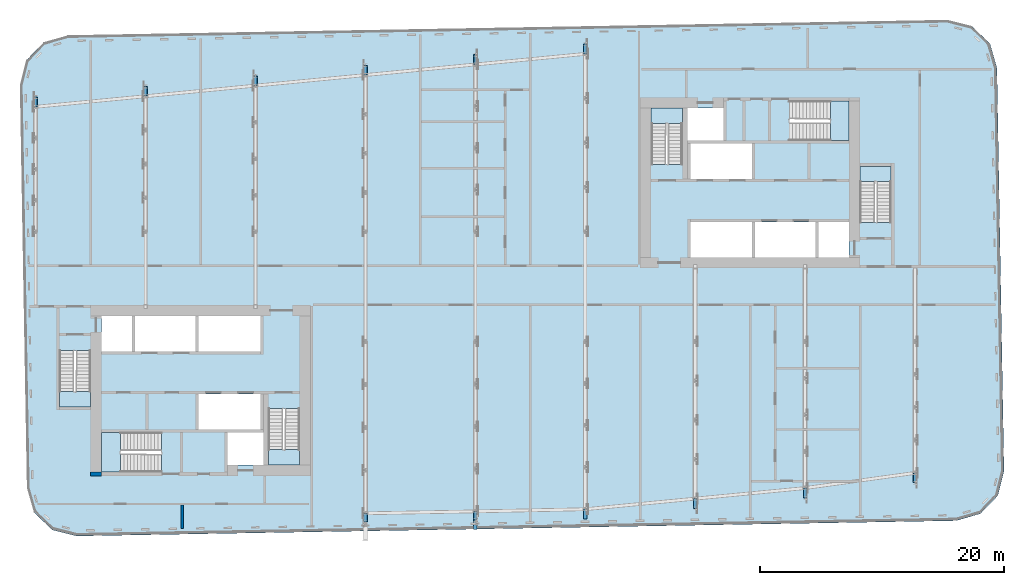
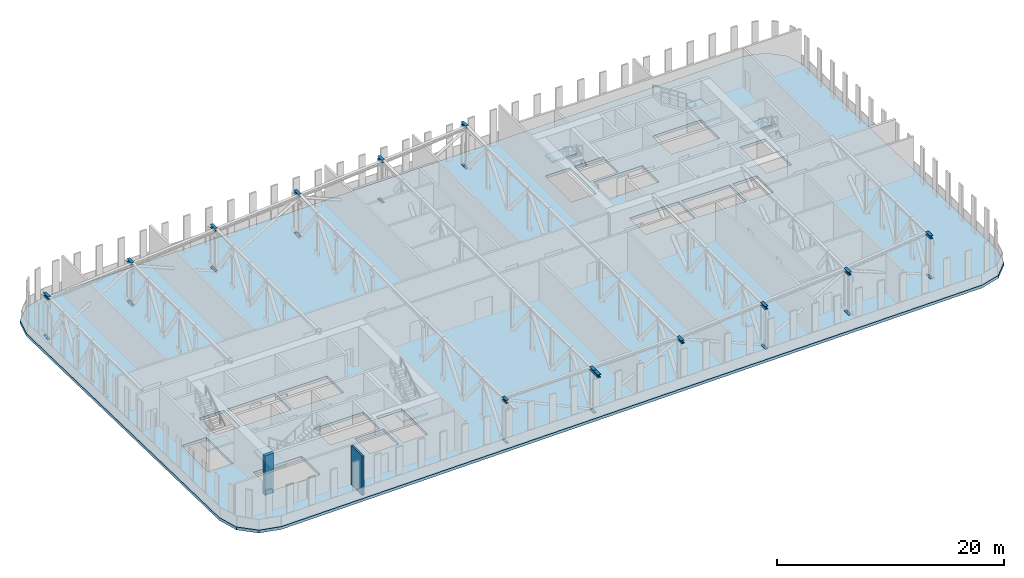
# One storey, part 9 of 26: 24 members, 7 slabs, 2 walls, 6 elements without a shape of their own.
"""IFC4 building model written with IfcOpenShell, lengths in metres."""

from ifc_helpers import new_model, si_unit, direction, frame, frame_2d, origin, origin_2d, place, context, subcontext, project, spatial, polyline, rectangle, i_section, outline, extrude, material, layer, layer_set, material_profile, profile_set, type_object, element, aggregate, save


model = new_model("IFC4")

# Units and contexts
model_context = context("Model", 3, precision=1e-05, world=origin(), true_north=direction((0.0, 1.0)))
body_context = subcontext(model_context, "Body", "Model", "MODEL_VIEW")
ifc_project = project(units=[si_unit("LENGTHUNIT", "METRE"), si_unit("AREAUNIT", "SQUARE_METRE"), si_unit("VOLUMEUNIT", "CUBIC_METRE"), si_unit("PLANEANGLEUNIT", "RADIAN"), si_unit("MASSUNIT", "GRAM", prefix="KILO")], contexts=[model_context])

# Site, building, storey
site_placement = place(None, origin())
site = spatial("IfcSite", under=ifc_project, at=site_placement, CompositionType="ELEMENT")
building_placement = place(site_placement, origin())
building = spatial("IfcBuilding", under=site, at=building_placement, Name="Kajstack Hotel Tower", CompositionType="ELEMENT")
storey_placement = place(building_placement, frame((0.0, 0.0, 257.300048828125)))
storey = spatial("IfcBuildingStorey", under=building, at=storey_placement, Name="L64", CompositionType="ELEMENT", Elevation=257.300048828125)

# Members
ifc_material_1 = material(Name="Steel S355J2", Category="steel")
ifc_material_profile_1 = material_profile(ifc_material_1, i_section(OverallWidth=0.260009765625, OverallDepth=0.260009765625, WebThickness=0.010009765625, FlangeThickness=0.017578125, FilletRadius=0.02392578125, at=origin_2d()), Name="HEB 260")
ifc_profile_set_1 = profile_set([ifc_material_profile_1], Name="Steel S355J2")
member_type_1 = type_object("IfcMemberType", Name="Belt truss bottom chord BC5 HEB 260", PredefinedType="CHORD", material=ifc_profile_set_1)
member_1_placement = place(storey_placement, frame((-36.0, 14.718505859375, -0.130126953125), z_axis=(0.0, 1.0, 0.0), x_axis=(-1.0, 0.0, 0.0)))
element("IfcMember", 1, at=member_1_placement, inside=storey, type_object=member_type_1, Name="S-belt-truss-L64--36p0-1-bc12", PredefinedType="CHORD", context=body_context, shape_type="SweptSolid", body=[
    extrude(i_section(OverallWidth=0.260009765625, OverallDepth=0.260009765625, WebThickness=0.010009765625, FlangeThickness=0.017578125, FilletRadius=0.02392578125, at=origin_2d()), origin(), (0.0, 0.0, 1.0), 0.7998046875),
])
for number, where, z_axis, x_axis, name in (
    (2, (-27.0, 15.5849609375, -0.130126953125), (0.0, 1.0, 0.0), (-1.0, 0.0, 0.0), "S-outrigger-truss-L64--27p0-1-bc12"),
    (3, (-18.0, 16.45166015625, -0.130126953125), (0.0, 1.0, 0.0), (-1.0, 0.0, 0.0), "S-outrigger-truss-L64--18p0-1-bc12"),
):
    element("IfcMember", number, at=place(storey_placement, frame(where, z_axis=z_axis, x_axis=x_axis)), inside=storey, type_object=member_type_1, Name=name, PredefinedType="CHORD", context=body_context, shape_type="SweptSolid", body=[
        extrude(i_section(OverallWidth=0.260009765625, OverallDepth=0.260009765625, WebThickness=0.010009765625, FlangeThickness=0.017578125, FilletRadius=0.02392578125, at=origin_2d()), origin(), (0.0, 0.0, 1.0), 0.800048828125),
    ])
member_2_placement = place(storey_placement, frame((-9.0, -19.262451171875, -0.130126953125), z_axis=(0.0, 1.0, 0.0), x_axis=(-1.0, 0.0, 0.0)))
element("IfcMember", 4, at=member_2_placement, inside=storey, type_object=member_type_1, Name="S-belt-truss-L64--9p0-1-bc13", PredefinedType="CHORD", context=body_context, shape_type="SweptSolid", body=[
    extrude(i_section(OverallWidth=0.260009765625, OverallDepth=0.260009765625, WebThickness=0.010009765625, FlangeThickness=0.017578125, FilletRadius=0.02392578125, at=origin_2d()), origin(), (0.0, 0.0, 1.0), 0.699951171875),
])
member_3_placement = place(storey_placement, frame((-9.0, 17.318115234375, -0.130126953125), z_axis=(0.0, 1.0, 0.0), x_axis=(-1.0, 0.0, 0.0)))
element("IfcMember", 5, at=member_3_placement, inside=storey, type_object=member_type_1, Name="S-belt-truss-L64--9p0-1-bc23", PredefinedType="CHORD", context=body_context, shape_type="SweptSolid", body=[
    extrude(i_section(OverallWidth=0.260009765625, OverallDepth=0.260009765625, WebThickness=0.010009765625, FlangeThickness=0.017578125, FilletRadius=0.02392578125, at=origin_2d()), origin(), (0.0, 0.0, 1.0), 0.800048828125),
])
member_4_placement = place(storey_placement, frame((0.0, -19.10546875, -0.130126953125), z_axis=(0.0, 1.0, 0.0), x_axis=(-1.0, 0.0, 0.0)))
element("IfcMember", 6, at=member_4_placement, inside=storey, type_object=member_type_1, Name="S-belt-truss-L64-+0p0-1-bc13", PredefinedType="CHORD", context=body_context, shape_type="SweptSolid", body=[
    extrude(i_section(OverallWidth=0.260009765625, OverallDepth=0.260009765625, WebThickness=0.010009765625, FlangeThickness=0.017578125, FilletRadius=0.02392578125, at=origin_2d()), origin(), (0.0, 0.0, 1.0), 0.699951171875),
])
member_5_placement = place(storey_placement, frame((0.0, 18.184814453125, -0.130126953125), z_axis=(0.0, 1.0, 0.0), x_axis=(-1.0, 0.0, 0.0)))
element("IfcMember", 7, at=member_5_placement, inside=storey, type_object=member_type_1, Name="S-belt-truss-L64-+0p0-1-bc23", PredefinedType="CHORD", context=body_context, shape_type="SweptSolid", body=[
    extrude(i_section(OverallWidth=0.260009765625, OverallDepth=0.260009765625, WebThickness=0.010009765625, FlangeThickness=0.017578125, FilletRadius=0.02392578125, at=origin_2d()), origin(), (0.0, 0.0, 1.0), 0.800048828125),
])
for number, where, z_axis, x_axis, name in (
    (8, (9.0, 19.051513671875, -0.130126953125), (0.0, 1.0, 0.0), (-1.0, 0.0, 0.0), "S-belt-truss-L64-+9p0-1-bc21"),
    (9, (18.0, -18.16259765625, -0.130126953125), (0.0, 1.0, 0.0), (-1.0, 0.0, 0.0), "S-outrigger-truss-L64-+18p0-1-bc7"),
):
    element("IfcMember", number, at=place(storey_placement, frame(where, z_axis=z_axis, x_axis=x_axis)), inside=storey, type_object=member_type_1, Name=name, PredefinedType="CHORD", context=body_context, shape_type="SweptSolid", body=[
        extrude(i_section(OverallWidth=0.260009765625, OverallDepth=0.260009765625, WebThickness=0.010009765625, FlangeThickness=0.017578125, FilletRadius=0.02392578125, at=origin_2d()), origin(), (0.0, 0.0, 1.0), 0.7998046875),
    ])
member_6_placement = place(storey_placement, frame((27.0, -17.296142578125, -0.130126953125), z_axis=(0.0, 1.0, 0.0), x_axis=(-1.0, 0.0, 0.0)))
element("IfcMember", 10, at=member_6_placement, inside=storey, type_object=member_type_1, Name="S-outrigger-truss-L64-+27p0-1-bc7", PredefinedType="CHORD", context=body_context, shape_type="SweptSolid", body=[
    extrude(i_section(OverallWidth=0.260009765625, OverallDepth=0.260009765625, WebThickness=0.010009765625, FlangeThickness=0.017578125, FilletRadius=0.02392578125, at=origin_2d()), origin(), (0.0, 0.0, 1.0), 0.800048828125),
])
member_7_placement = place(storey_placement, frame((36.0, -16.056396484375, -0.130126953125), z_axis=(0.0, 1.0, 0.0), x_axis=(-1.0, 0.0, 0.0)))
element("IfcMember", 11, at=member_7_placement, inside=storey, type_object=member_type_1, Name="S-belt-truss-L64-+36p0-1-bc7", PredefinedType="CHORD", context=body_context, shape_type="SweptSolid", body=[
    extrude(i_section(OverallWidth=0.260009765625, OverallDepth=0.260009765625, WebThickness=0.010009765625, FlangeThickness=0.017578125, FilletRadius=0.02392578125, at=origin_2d()), origin(), (0.0, 0.0, 1.0), 0.7998046875),
])
ifc_material_profile_2 = material_profile(ifc_material_1, i_section(OverallWidth=0.300048828125, OverallDepth=0.320068359375, WebThickness=0.011474609375, FlangeThickness=0.0205078125, FilletRadius=0.027099609375, at=origin_2d()), Name="HEB 320")
ifc_profile_set_2 = profile_set([ifc_material_profile_2], Name="Steel S355J2")
member_type_2 = type_object("IfcMemberType", Name="Belt truss top chord TC5 HEB 320", PredefinedType="CHORD", material=ifc_profile_set_2)
member_8_placement = place(storey_placement, frame((-36.0, 14.718505859375, 4.43994140625), z_axis=(0.0, 1.0, 0.0), x_axis=(-1.0, 0.0, 0.0)))
element("IfcMember", 12, at=member_8_placement, inside=storey, type_object=member_type_2, Name="S-belt-truss-L64--36p0-1-tc6", PredefinedType="CHORD", context=body_context, shape_type="SweptSolid", body=[
    extrude(i_section(OverallWidth=0.300048828125, OverallDepth=0.320068359375, WebThickness=0.011474609375, FlangeThickness=0.0205078125, FilletRadius=0.027099609375, at=origin_2d()), origin(), (0.0, 0.0, 1.0), 0.7998046875),
])
for number, where, z_axis, x_axis, name in (
    (13, (-27.0, 15.5849609375, 4.43994140625), (0.0, 1.0, 0.0), (-1.0, 0.0, 0.0), "S-outrigger-truss-L64--27p0-1-tc6"),
    (14, (-18.0, 16.45166015625, 4.43994140625), (0.0, 1.0, 0.0), (-1.0, 0.0, 0.0), "S-outrigger-truss-L64--18p0-1-tc6"),
):
    element("IfcMember", number, at=place(storey_placement, frame(where, z_axis=z_axis, x_axis=x_axis)), inside=storey, type_object=member_type_2, Name=name, PredefinedType="CHORD", context=body_context, shape_type="SweptSolid", body=[
        extrude(i_section(OverallWidth=0.300048828125, OverallDepth=0.320068359375, WebThickness=0.011474609375, FlangeThickness=0.0205078125, FilletRadius=0.027099609375, at=origin_2d()), origin(), (0.0, 0.0, 1.0), 0.800048828125),
    ])
member_9_placement = place(storey_placement, frame((-9.0, -19.262451171875, 4.43994140625), z_axis=(0.0, 1.0, 0.0), x_axis=(-1.0, 0.0, 0.0)))
element("IfcMember", 15, at=member_9_placement, inside=storey, type_object=member_type_2, Name="S-belt-truss-L64--9p0-1-tc2", PredefinedType="CHORD", context=body_context, shape_type="SweptSolid", body=[
    extrude(i_section(OverallWidth=0.300048828125, OverallDepth=0.320068359375, WebThickness=0.011474609375, FlangeThickness=0.0205078125, FilletRadius=0.027099609375, at=origin_2d()), origin(), (0.0, 0.0, 1.0), 0.699951171875),
])
member_10_placement = place(storey_placement, frame((-9.0, 17.318115234375, 4.43994140625), z_axis=(0.0, 1.0, 0.0), x_axis=(-1.0, 0.0, 0.0)))
element("IfcMember", 16, at=member_10_placement, inside=storey, type_object=member_type_2, Name="S-belt-truss-L64--9p0-1-tc12", PredefinedType="CHORD", context=body_context, shape_type="SweptSolid", body=[
    extrude(i_section(OverallWidth=0.300048828125, OverallDepth=0.320068359375, WebThickness=0.011474609375, FlangeThickness=0.0205078125, FilletRadius=0.027099609375, at=origin_2d()), origin(), (0.0, 0.0, 1.0), 0.800048828125),
])
member_11_placement = place(storey_placement, frame((0.0, -19.89599609375, 4.43994140625), z_axis=(0.0, 1.0, 0.0), x_axis=(-1.0, 0.0, 0.0)))
element("IfcMember", 17, at=member_11_placement, inside=storey, type_object=member_type_2, Name="S-belt-truss-L64-+0p0-1-tc1", PredefinedType="CHORD", context=body_context, shape_type="SweptSolid", body=[
    extrude(i_section(OverallWidth=0.300048828125, OverallDepth=0.320068359375, WebThickness=0.011474609375, FlangeThickness=0.0205078125, FilletRadius=0.027099609375, at=origin_2d()), origin(), (0.0, 0.0, 1.0), 0.79052734375),
])
member_12_placement = place(storey_placement, frame((0.0, -19.10546875, 4.43994140625), z_axis=(0.0, 1.0, 0.0), x_axis=(-1.0, 0.0, 0.0)))
element("IfcMember", 18, at=member_12_placement, inside=storey, type_object=member_type_2, Name="S-belt-truss-L64-+0p0-1-tc2", PredefinedType="CHORD", context=body_context, shape_type="SweptSolid", body=[
    extrude(i_section(OverallWidth=0.300048828125, OverallDepth=0.320068359375, WebThickness=0.011474609375, FlangeThickness=0.0205078125, FilletRadius=0.027099609375, at=origin_2d()), origin(), (0.0, 0.0, 1.0), 0.699951171875),
])
member_13_placement = place(storey_placement, frame((0.0, 18.184814453125, 4.43994140625), z_axis=(0.0, 1.0, 0.0), x_axis=(-1.0, 0.0, 0.0)))
element("IfcMember", 19, at=member_13_placement, inside=storey, type_object=member_type_2, Name="S-belt-truss-L64-+0p0-1-tc12", PredefinedType="CHORD", context=body_context, shape_type="SweptSolid", body=[
    extrude(i_section(OverallWidth=0.300048828125, OverallDepth=0.320068359375, WebThickness=0.011474609375, FlangeThickness=0.0205078125, FilletRadius=0.027099609375, at=origin_2d()), origin(), (0.0, 0.0, 1.0), 0.800048828125),
])
for number, where, z_axis, x_axis, name in (
    (20, (9.0, -19.029296875, 4.43994140625), (0.0, 1.0, 0.0), (-1.0, 0.0, 0.0), "S-belt-truss-L64-+9p0-1-tc1"),
    (21, (9.0, 19.051513671875, 4.43994140625), (0.0, 1.0, 0.0), (-1.0, 0.0, 0.0), "S-belt-truss-L64-+9p0-1-tc11"),
    (22, (18.0, -18.16259765625, 4.43994140625), (0.0, 1.0, 0.0), (-1.0, 0.0, 0.0), "S-outrigger-truss-L64-+18p0-1-tc1"),
):
    element("IfcMember", number, at=place(storey_placement, frame(where, z_axis=z_axis, x_axis=x_axis)), inside=storey, type_object=member_type_2, Name=name, PredefinedType="CHORD", context=body_context, shape_type="SweptSolid", body=[
        extrude(i_section(OverallWidth=0.300048828125, OverallDepth=0.320068359375, WebThickness=0.011474609375, FlangeThickness=0.0205078125, FilletRadius=0.027099609375, at=origin_2d()), origin(), (0.0, 0.0, 1.0), 0.7998046875),
    ])
member_14_placement = place(storey_placement, frame((27.0, -17.296142578125, 4.43994140625), z_axis=(0.0, 1.0, 0.0), x_axis=(-1.0, 0.0, 0.0)))
element("IfcMember", 23, at=member_14_placement, inside=storey, type_object=member_type_2, Name="S-outrigger-truss-L64-+27p0-1-tc1", PredefinedType="CHORD", context=body_context, shape_type="SweptSolid", body=[
    extrude(i_section(OverallWidth=0.300048828125, OverallDepth=0.320068359375, WebThickness=0.011474609375, FlangeThickness=0.0205078125, FilletRadius=0.027099609375, at=origin_2d()), origin(), (0.0, 0.0, 1.0), 0.800048828125),
])
member_15_placement = place(storey_placement, frame((36.0, -16.056396484375, 4.43994140625), z_axis=(0.0, 1.0, 0.0), x_axis=(-1.0, 0.0, 0.0)))
element("IfcMember", 24, at=member_15_placement, inside=storey, type_object=member_type_2, Name="S-belt-truss-L64-+36p0-1-tc1", PredefinedType="CHORD", context=body_context, shape_type="SweptSolid", body=[
    extrude(i_section(OverallWidth=0.300048828125, OverallDepth=0.320068359375, WebThickness=0.011474609375, FlangeThickness=0.0205078125, FilletRadius=0.027099609375, at=origin_2d()), origin(), (0.0, 0.0, 1.0), 0.7998046875),
])

# Slab
ifc_material_2 = material(Name="Concrete C50/60", Category="concrete")
ifc_layer_1 = layer(ifc_material_2, 0.300048828125)
ifc_layer_set_1 = layer_set([ifc_layer_1], Name="RC slab 300 C50/60 band")
slab_type_1 = type_object("IfcSlabType", Name="RC slab 300 C50/60 band", PredefinedType="FLOOR", material=ifc_layer_set_1)
slab_1_placement = place(storey_placement, frame((0.0, 0.0, -0.300048828125)))
element("IfcSlab", 25, at=slab_1_placement, inside=storey, type_object=slab_type_1, Name="S-slab-L64", PredefinedType="FLOOR", context=body_context, shape_type="SweptSolid", body=[
    extrude(outline(polyline([(-37.281982421875, 16.49951171875), (-36.705810546875, -16.49560546875), (-36.13525390625, -18.48583984375), (-34.645751953125, -19.92431640625), (-32.63671875, -20.42529296875), (39.352294921875, -19.168701171875), (41.342529296875, -18.597900390625), (42.781005859375, -17.1083984375), (43.281982421875, -15.099365234375), (42.705810546875, 17.8955078125), (42.13525390625, 19.885986328125), (40.645751953125, 21.32421875), (38.63671875, 21.8251953125), (-33.352294921875, 20.568603515625), (-35.342529296875, 19.997802734375), (-36.781005859375, 18.50830078125), (-37.281982421875, 16.49951171875)]), holes=[polyline([(-22.64990234375, -11.699951171875), (-22.64990234375, -8.800048828125), (-17.60009765625, -8.800048828125), (-17.60009765625, -11.699951171875), (-22.64990234375, -11.699951171875)]), polyline([(-27.85009765625, -5.300048828125), (-27.85009765625, -2.39990234375), (-22.89990234375, -2.39990234375), (-22.89990234375, -5.300048828125), (-27.85009765625, -5.300048828125)]), polyline([(-22.64990234375, -5.300048828125), (-22.64990234375, -2.39990234375), (-17.60009765625, -2.39990234375), (-17.60009765625, -5.300048828125), (-22.64990234375, -5.300048828125)]), polyline([(-20.300048828125, -14.60009765625), (-17.35009765625, -14.60009765625), (-17.35009765625, -11.949951171875), (-20.300048828125, -11.949951171875), (-20.300048828125, -14.60009765625)]), polyline([(-30.60009765625, -5.300048828125), (-28.10009765625, -5.300048828125), (-28.10009765625, -2.39990234375), (-30.60009765625, -2.39990234375), (-30.60009765625, -5.300048828125)]), polyline([(17.60009765625, 8.800048828125), (17.60009765625, 11.699951171875), (22.64990234375, 11.699951171875), (22.64990234375, 8.800048828125), (17.60009765625, 8.800048828125)]), polyline([(22.89990234375, 2.39990234375), (22.89990234375, 5.300048828125), (27.85009765625, 5.300048828125), (27.85009765625, 2.39990234375), (22.89990234375, 2.39990234375)]), polyline([(17.60009765625, 2.39990234375), (17.60009765625, 5.300048828125), (22.64990234375, 5.300048828125), (22.64990234375, 2.39990234375), (17.60009765625, 2.39990234375)]), polyline([(20.300048828125, 14.60009765625), (17.35009765625, 14.60009765625), (17.35009765625, 11.949951171875), (20.300048828125, 11.949951171875), (20.300048828125, 14.60009765625)]), polyline([(30.60009765625, 5.300048828125), (28.10009765625, 5.300048828125), (28.10009765625, 2.39990234375), (30.60009765625, 2.39990234375), (30.60009765625, 5.300048828125)]), polyline([(-34.050048828125, -9.85009765625), (-31.5, -9.85009765625), (-31.5, -5.25), (-34.050048828125, -5.25), (-34.050048828125, -9.85009765625)]), polyline([(-16.949951171875, -14.60009765625), (-14.39990234375, -14.60009765625), (-14.39990234375, -10.0), (-16.949951171875, -10.0), (-16.949951171875, -14.60009765625)]), polyline([(-30.60009765625, -15.199951171875), (-25.699951171875, -15.199951171875), (-25.699951171875, -11.949951171875), (-30.60009765625, -11.949951171875), (-30.60009765625, -15.199951171875)]), polyline([(34.050048828125, 9.85009765625), (31.5, 9.85009765625), (31.5, 5.25), (34.050048828125, 5.25), (34.050048828125, 9.85009765625)]), polyline([(16.949951171875, 14.60009765625), (14.39990234375, 14.60009765625), (14.39990234375, 10.0), (16.949951171875, 10.0), (16.949951171875, 14.60009765625)]), polyline([(30.60009765625, 15.199951171875), (25.699951171875, 15.199951171875), (25.699951171875, 11.949951171875), (30.60009765625, 11.949951171875), (30.60009765625, 15.199951171875)])]), origin(), (0.0, 0.0, 1.0), 0.300048828125),
])

# Stair, slab
ifc_material_3 = material(Name="Concrete C40/50", Category="concrete")
stair_type_1 = type_object("IfcStairType", Name="Exit stair 1200", PredefinedType="HALF_TURN_STAIR", material=ifc_material_3)
stair_1_placement = place(storey_placement, origin())
stair_1 = element("IfcStair", 26, at=stair_1_placement, inside=storey, type_object=stair_type_1, Name="L64 stair W1", PredefinedType="HALF_TURN_STAIR")
ifc_layer_2 = layer(ifc_material_3, 0.199951171875)
ifc_layer_set_2 = layer_set([ifc_layer_2], Name="Stair landing 200")
slab_type_2 = type_object("IfcSlabType", Name="Stair landing 200", PredefinedType="LANDING", material=ifc_layer_set_2)
slab_2_placement = place(storey_placement, frame((0.0, 0.0, 2.099853515625)))
slab_2 = element("IfcSlab", 27, at=slab_2_placement, type_object=slab_type_2, Name="W1 landing 1", PredefinedType="LANDING", context=body_context, shape_type="SweptSolid", body=[
    extrude(outline(polyline([(-34.050048828125, -8.610107421875), (-34.050048828125, -9.85009765625), (-31.5, -9.85009765625), (-31.5, -8.610107421875), (-34.050048828125, -8.610107421875)])), origin(), (0.0, 0.0, 1.0), 0.2001953125),
])
aggregate(stair_1, [slab_2])

stair_2_placement = place(storey_placement, origin())
stair_2 = element("IfcStair", 28, at=stair_2_placement, inside=storey, type_object=stair_type_1, Name="L64 stair W2", PredefinedType="HALF_TURN_STAIR")
slab_3_placement = place(storey_placement, frame((0.0, 0.0, 2.099853515625)))
slab_3 = element("IfcSlab", 29, at=slab_3_placement, type_object=slab_type_2, Name="W2 landing 1", PredefinedType="LANDING", context=body_context, shape_type="SweptSolid", body=[
    extrude(outline(polyline([(-16.949951171875, -13.360107421875), (-16.949951171875, -14.60009765625), (-14.39990234375, -14.60009765625), (-14.39990234375, -13.360107421875), (-16.949951171875, -13.360107421875)])), origin(), (0.0, 0.0, 1.0), 0.2001953125),
])
aggregate(stair_2, [slab_3])

stair_type_2 = type_object("IfcStairType", Name="Exit stair 1500", PredefinedType="HALF_TURN_STAIR", material=ifc_material_3)
stair_3_placement = place(storey_placement, origin())
stair_3 = element("IfcStair", 30, at=stair_3_placement, inside=storey, type_object=stair_type_2, Name="L64 stair W3", PredefinedType="HALF_TURN_STAIR")
slab_4_placement = place(storey_placement, frame((0.0, 0.0, 2.099853515625)))
slab_4 = element("IfcSlab", 31, at=slab_4_placement, type_object=slab_type_2, Name="W3 landing 1", PredefinedType="LANDING", context=body_context, shape_type="SweptSolid", body=[
    extrude(outline(polyline([(-29.06005859375, -11.949951171875), (-30.60009765625, -11.949951171875), (-30.60009765625, -15.199951171875), (-29.06005859375, -15.199951171875), (-29.06005859375, -11.949951171875)])), origin(), (0.0, 0.0, 1.0), 0.2001953125),
])
aggregate(stair_3, [slab_4])

stair_4_placement = place(storey_placement, origin())
stair_4 = element("IfcStair", 32, at=stair_4_placement, inside=storey, type_object=stair_type_1, Name="L64 stair E1", PredefinedType="HALF_TURN_STAIR")
slab_5_placement = place(storey_placement, frame((0.0, 0.0, 2.099853515625)))
slab_5 = element("IfcSlab", 33, at=slab_5_placement, type_object=slab_type_2, Name="E1 landing 1", PredefinedType="LANDING", context=body_context, shape_type="SweptSolid", body=[
    extrude(outline(polyline([(34.050048828125, 8.610107421875), (34.050048828125, 9.85009765625), (31.5, 9.85009765625), (31.5, 8.610107421875), (34.050048828125, 8.610107421875)])), origin(), (0.0, 0.0, 1.0), 0.2001953125),
])
aggregate(stair_4, [slab_5])

stair_5_placement = place(storey_placement, origin())
stair_5 = element("IfcStair", 34, at=stair_5_placement, inside=storey, type_object=stair_type_1, Name="L64 stair E2", PredefinedType="HALF_TURN_STAIR")
slab_6_placement = place(storey_placement, frame((0.0, 0.0, 2.099853515625)))
slab_6 = element("IfcSlab", 35, at=slab_6_placement, type_object=slab_type_2, Name="E2 landing 1", PredefinedType="LANDING", context=body_context, shape_type="SweptSolid", body=[
    extrude(outline(polyline([(16.949951171875, 13.360107421875), (16.949951171875, 14.60009765625), (14.39990234375, 14.60009765625), (14.39990234375, 13.360107421875), (16.949951171875, 13.360107421875)])), origin(), (0.0, 0.0, 1.0), 0.2001953125),
])
aggregate(stair_5, [slab_6])

stair_6_placement = place(storey_placement, origin())
stair_6 = element("IfcStair", 36, at=stair_6_placement, inside=storey, type_object=stair_type_2, Name="L64 stair E3", PredefinedType="HALF_TURN_STAIR")
slab_7_placement = place(storey_placement, frame((0.0, 0.0, 2.099853515625)))
slab_7 = element("IfcSlab", 37, at=slab_7_placement, type_object=slab_type_2, Name="E3 landing 1", PredefinedType="LANDING", context=body_context, shape_type="SweptSolid", body=[
    extrude(outline(polyline([(29.06005859375, 11.949951171875), (30.60009765625, 11.949951171875), (30.60009765625, 15.199951171875), (29.06005859375, 15.199951171875), (29.06005859375, 11.949951171875)])), origin(), (0.0, 0.0, 1.0), 0.2001953125),
])
aggregate(stair_6, [slab_7])

# Walls
ifc_material_4 = material(Name="Concrete C60/75", Category="concrete")
ifc_layer_3 = layer(ifc_material_4, 0.89990234375)
ifc_layer_set_3 = layer_set([ifc_layer_3], Name="Core wall 900")
wall_type_1 = type_object("IfcWallType", Name="Core wall 900", PredefinedType="SHEAR", material=ifc_layer_set_3)
wall_1_placement = place(storey_placement, frame((-31.5, -15.35009765625, 0.0), z_axis=(0.0, 0.0, 1.0), x_axis=(1.0, 0.0, 0.0)))
element("IfcWall", 38, at=wall_1_placement, inside=storey, type_object=wall_type_1, Name="Core wall W RSW", PredefinedType="SHEAR", context=body_context, shape_type="SweptSolid", body=[
    extrude(rectangle(XDim=0.89990234375, YDim=0.300048828125, at=frame_2d((0.449951171875, 0.0))), origin(), (0.0, 0.0, 1.0), 4.199951171875),
])
ifc_material_5 = material(Name="Gypsum board on steel studs, mineral wool", Category="steel")
ifc_layer_4 = layer(ifc_material_5, 0.199951171875)
ifc_layer_set_4 = layer_set([ifc_layer_4], Name="Service partition 200")
wall_type_2 = type_object("IfcWallType", Name="Service partition 200", PredefinedType="PARTITIONING", material=ifc_layer_set_4)
wall_2_placement = place(storey_placement, frame((-24.0, -19.824462890625, 0.0), z_axis=(0.0, 0.0, 1.0), x_axis=(0.0, 1.0, 0.0)))
element("IfcWall", 39, at=wall_2_placement, inside=storey, type_object=wall_type_2, Name="Partition W SLP0", PredefinedType="PARTITIONING", context=body_context, shape_type="SweptSolid", body=[
    extrude(rectangle(XDim=1.924560546875, YDim=0.199951171875, at=frame_2d((0.96240234375, 0.0))), origin(), (0.0, 0.0, 1.0), 4.199951171875),
])

save(model, "model.ifc")
